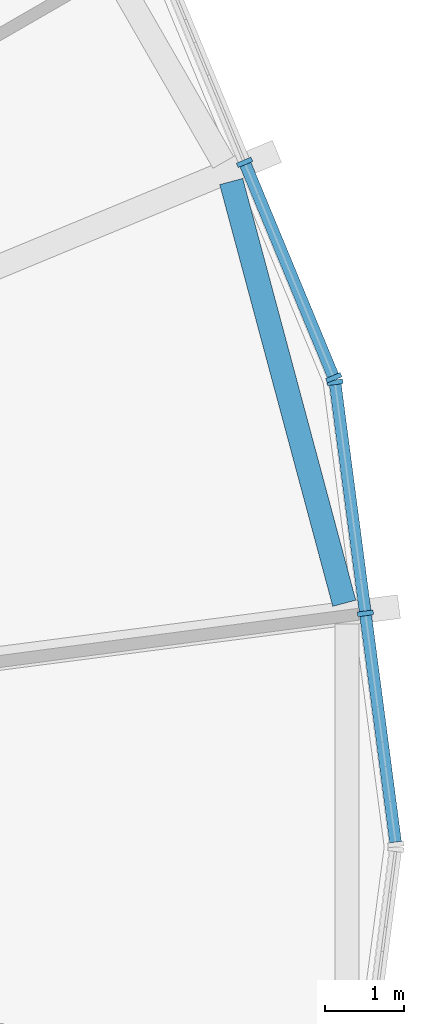
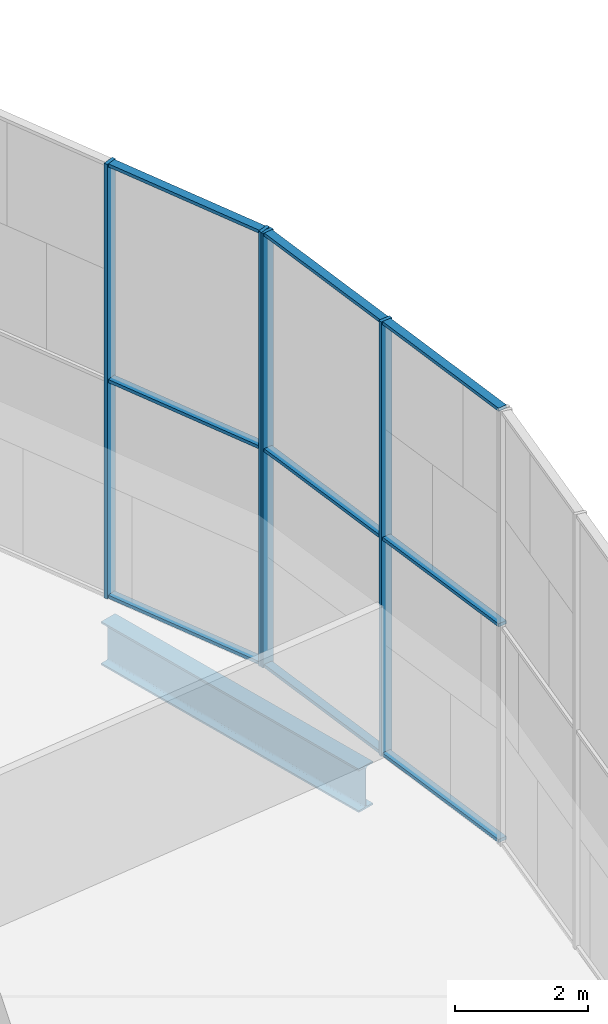
# One storey, part 5 of 19: 13 members, 1 beam, 2 elements without a shape of their own.
"""IFC4 building model written with IfcOpenShell, lengths in metres."""

from ifc_helpers import new_model, si_unit, direction, frame, origin, origin_2d, place, context, subcontext, project, spatial, rectangle, i_section, extrude, material, material_profile, profile_set, type_object, element, aggregate, save


model = new_model("IFC4")

# Units and contexts
model_context = context("Model", 3, precision=1e-05, world=origin(), true_north=direction((0.0, 1.0)))
body_context = subcontext(model_context, "Body", "Model", "MODEL_VIEW")
ifc_project = project(units=[si_unit("LENGTHUNIT", "METRE"), si_unit("AREAUNIT", "SQUARE_METRE"), si_unit("VOLUMEUNIT", "CUBIC_METRE"), si_unit("PLANEANGLEUNIT", "RADIAN"), si_unit("MASSUNIT", "GRAM", prefix="KILO")], contexts=[model_context])

# Site, building, storey
site_placement = place(None, origin())
site = spatial("IfcSite", under=ifc_project, at=site_placement, CompositionType="ELEMENT")
building_placement = place(site_placement, origin())
building = spatial("IfcBuilding", under=site, at=building_placement, Name="Golbaran Civic Tower", CompositionType="ELEMENT")
storey_placement = place(building_placement, frame((0.0, 0.0, 240.0)))
storey = spatial("IfcBuildingStorey", under=building, at=storey_placement, Name="L58", CompositionType="ELEMENT", Elevation=240.0)

# Beam
ifc_material_1 = material(Name="Steel S355", Category="steel")
ifc_material_profile_1 = material_profile(ifc_material_1, i_section(OverallWidth=0.300048828125, OverallDepth=0.800048828125, WebThickness=0.017578125, FlangeThickness=0.032958984375, FilletRadius=0.030029296875, at=origin_2d()), Name="HEB 800")
ifc_profile_set_1 = profile_set([ifc_material_profile_1], Name="Steel S355")
beam_type = type_object("IfcBeamType", Name="EDGE BEAM HEB 800", PredefinedType="BEAM", material=ifc_profile_set_1)
beam_placement = place(storey_placement, frame((22.04736328125, 3.064453125, -0.60009765625), z_axis=(-0.258893020744, 0.96590600154, 0.0), x_axis=(-0.96590600154, -0.258893020744, 0.0)))
element("IfcBeam", 1, at=beam_placement, inside=storey, type_object=beam_type, Name="Edge beam 7.57 L58", PredefinedType="BEAM", context=body_context, shape_type="SweptSolid", body=[
    extrude(i_section(OverallWidth=0.300048828125, OverallDepth=0.800048828125, WebThickness=0.017578125, FlangeThickness=0.032958984375, FilletRadius=0.030029296875, at=origin_2d()), origin(), (0.0, 0.0, 1.0), 5.494873046875),
])

# Curtain wall, members
ifc_material_2 = material(Name="Aluminium and glass", Category="aluminium")
curtain_wall_type = type_object("IfcCurtainWallType", Name="INNER SKIN CURTAIN WALL EXECUTIVE", PredefinedType="NOTDEFINED", material=ifc_material_2)
curtain_wall_1_placement = place(storey_placement, origin())
curtain_wall_1 = element("IfcCurtainWall", 2, at=curtain_wall_1_placement, inside=storey, type_object=curtain_wall_type, Name="Inner skin L58 facet 1 CW2", ObjectType="INNER SKIN", PredefinedType="USERDEFINED")
ifc_material_3 = material(Name="Aluminium", Category="aluminium")
ifc_material_profile_2 = material_profile(ifc_material_3, rectangle(XDim=0.199951171875, YDim=0.06005859375, at=origin_2d()), Name="INNER SKIN CURTAIN WALL EXECUTIVE MULLION")
ifc_profile_set_2 = profile_set([ifc_material_profile_2], Name="Aluminium")
member_type_1 = type_object("IfcMemberType", Name="INNER SKIN CURTAIN WALL EXECUTIVE MULLION", PredefinedType="MULLION", material=ifc_profile_set_2)
member_1_placement = place(storey_placement, frame((22.313232421875, 2.9375, 0.0), z_axis=(0.0, 0.0, 1.0), x_axis=(-0.991444861381, -0.130526192168, 0.0)))
member_1 = element("IfcMember", 3, at=member_1_placement, type_object=member_type_1, Name="CW2 mullion 2", PredefinedType="MULLION", context=body_context, shape_type="SweptSolid", body=[
    extrude(rectangle(XDim=0.199951171875, YDim=0.06005859375, at=origin_2d()), origin(), (0.0, 0.0, 1.0), 8.0),
])
member_2_placement = place(storey_placement, frame((21.930419921875, 5.845458984375, 0.0), z_axis=(0.0, 0.0, 1.0), x_axis=(-0.991444861381, -0.130526192168, 0.0)))
member_2 = element("IfcMember", 4, at=member_2_placement, type_object=member_type_1, Name="CW2 mullion 3", PredefinedType="MULLION", context=body_context, shape_type="SweptSolid", body=[
    extrude(rectangle(XDim=0.199951171875, YDim=0.06005859375, at=origin_2d()), origin(), (0.0, 0.0, 1.0), 8.0),
])

curtain_wall_2_placement = place(storey_placement, origin())
curtain_wall_2 = element("IfcCurtainWall", 5, at=curtain_wall_2_placement, inside=storey, type_object=curtain_wall_type, Name="Inner skin L58 facet 2 CW2", ObjectType="INNER SKIN", PredefinedType="USERDEFINED")
member_3_placement = place(storey_placement, frame((21.9150390625, 5.90283203125, 0.0), z_axis=(0.0, 0.0, 1.0), x_axis=(-0.923879532498, -0.382683432397, 0.0)))
member_3 = element("IfcMember", 6, at=member_3_placement, type_object=member_type_1, Name="CW2 mullion 1", PredefinedType="MULLION", context=body_context, shape_type="SweptSolid", body=[
    extrude(rectangle(XDim=0.199951171875, YDim=0.06005859375, at=origin_2d()), origin(), (0.0, 0.0, 1.0), 8.0),
])
member_4_placement = place(storey_placement, frame((20.792724609375, 8.612548828125, 0.0), z_axis=(0.0, 0.0, 1.0), x_axis=(-0.923879532498, -0.382683432397, 0.0)))
member_4 = element("IfcMember", 7, at=member_4_placement, type_object=member_type_1, Name="CW2 mullion 2", PredefinedType="MULLION", context=body_context, shape_type="SweptSolid", body=[
    extrude(rectangle(XDim=0.199951171875, YDim=0.06005859375, at=origin_2d()), origin(), (0.0, 0.0, 1.0), 8.0),
])

# Member
ifc_material_profile_3 = material_profile(ifc_material_3, rectangle(XDim=0.14990234375, YDim=0.06005859375, at=origin_2d()), Name="INNER SKIN CURTAIN WALL EXECUTIVE TRANSOM")
ifc_profile_set_3 = profile_set([ifc_material_profile_3], Name="Aluminium")
member_type_2 = type_object("IfcMemberType", Name="INNER SKIN CURTAIN WALL EXECUTIVE TRANSOM", PredefinedType="USERDEFINED", material=ifc_profile_set_3)
member_5_placement = place(storey_placement, frame((22.692138671875, 0.0595703125, 0.030029296875), z_axis=(-0.130527053476, 0.991444747987, 0.0), x_axis=(-0.991444747987, -0.130527053476, 0.0)))
member_5 = element("IfcMember", 8, at=member_5_placement, type_object=member_type_2, Name="CW2 transom 1.1", ObjectType="TRANSOM", PredefinedType="USERDEFINED", context=body_context, shape_type="SweptSolid", body=[
    extrude(rectangle(XDim=0.14990234375, YDim=0.06005859375, at=origin_2d()), origin(), (0.0, 0.0, 1.0), 2.873046875),
])

member_6_placement = place(storey_placement, frame((22.692138671875, 0.0595703125, 4.0), z_axis=(-0.130527053476, 0.991444747987, 0.0), x_axis=(-0.991444747987, -0.130527053476, 0.0)))
member_6 = element("IfcMember", 9, at=member_6_placement, type_object=member_type_2, Name="CW2 transom 1.2", ObjectType="TRANSOM", PredefinedType="USERDEFINED", context=body_context, shape_type="SweptSolid", body=[
    extrude(rectangle(XDim=0.14990234375, YDim=0.06005859375, at=origin_2d()), origin(), (0.0, 0.0, 1.0), 2.873046875),
])

member_7_placement = place(storey_placement, frame((22.692138671875, 0.0595703125, 7.969970703125), z_axis=(-0.130527053476, 0.991444747987, 0.0), x_axis=(-0.991444747987, -0.130527053476, 0.0)))
member_7 = element("IfcMember", 10, at=member_7_placement, type_object=member_type_2, Name="CW2 transom 1.3", ObjectType="TRANSOM", PredefinedType="USERDEFINED", context=body_context, shape_type="SweptSolid", body=[
    extrude(rectangle(XDim=0.14990234375, YDim=0.06005859375, at=origin_2d()), origin(), (0.0, 0.0, 1.0), 2.873046875),
])

member_8_placement = place(storey_placement, frame((22.309326171875, 2.96728515625, 0.030029296875), z_axis=(-0.130527053476, 0.991444747987, 0.0), x_axis=(-0.991444747987, -0.130527053476, 0.0)))
member_8 = element("IfcMember", 11, at=member_8_placement, type_object=member_type_2, Name="CW2 transom 2.1", ObjectType="TRANSOM", PredefinedType="USERDEFINED", context=body_context, shape_type="SweptSolid", body=[
    extrude(rectangle(XDim=0.14990234375, YDim=0.06005859375, at=origin_2d()), origin(), (0.0, 0.0, 1.0), 2.873046875),
])

member_9_placement = place(storey_placement, frame((22.309326171875, 2.96728515625, 4.0), z_axis=(-0.130527053476, 0.991444747987, 0.0), x_axis=(-0.991444747987, -0.130527053476, 0.0)))
member_9 = element("IfcMember", 12, at=member_9_placement, type_object=member_type_2, Name="CW2 transom 2.2", ObjectType="TRANSOM", PredefinedType="USERDEFINED", context=body_context, shape_type="SweptSolid", body=[
    extrude(rectangle(XDim=0.14990234375, YDim=0.06005859375, at=origin_2d()), origin(), (0.0, 0.0, 1.0), 2.873046875),
])

member_10_placement = place(storey_placement, frame((22.309326171875, 2.96728515625, 7.969970703125), z_axis=(-0.130527053476, 0.991444747987, 0.0), x_axis=(-0.991444747987, -0.130527053476, 0.0)))
member_10 = element("IfcMember", 13, at=member_10_placement, type_object=member_type_2, Name="CW2 transom 2.3", ObjectType="TRANSOM", PredefinedType="USERDEFINED", context=body_context, shape_type="SweptSolid", body=[
    extrude(rectangle(XDim=0.14990234375, YDim=0.06005859375, at=origin_2d()), origin(), (0.0, 0.0, 1.0), 2.873046875),
])

aggregate(curtain_wall_1, [member_1, member_2, member_5, member_6, member_7, member_8, member_9, member_10])

member_11_placement = place(storey_placement, frame((21.903564453125, 5.9306640625, 0.030029296875), z_axis=(-0.382659506909, 0.923889442397, 0.0), x_axis=(-0.923889442397, -0.382659506909, 0.0)))
member_11 = element("IfcMember", 14, at=member_11_placement, type_object=member_type_2, Name="CW2 transom 1.1", ObjectType="TRANSOM", PredefinedType="USERDEFINED", context=body_context, shape_type="SweptSolid", body=[
    extrude(rectangle(XDim=0.14990234375, YDim=0.06005859375, at=origin_2d()), origin(), (0.0, 0.0, 1.0), 2.873046875),
])

member_12_placement = place(storey_placement, frame((21.903564453125, 5.9306640625, 4.0), z_axis=(-0.382659506909, 0.923889442397, 0.0), x_axis=(-0.923889442397, -0.382659506909, 0.0)))
member_12 = element("IfcMember", 15, at=member_12_placement, type_object=member_type_2, Name="CW2 transom 1.2", ObjectType="TRANSOM", PredefinedType="USERDEFINED", context=body_context, shape_type="SweptSolid", body=[
    extrude(rectangle(XDim=0.14990234375, YDim=0.06005859375, at=origin_2d()), origin(), (0.0, 0.0, 1.0), 2.873046875),
])

member_13_placement = place(storey_placement, frame((21.903564453125, 5.9306640625, 7.969970703125), z_axis=(-0.382659506909, 0.923889442397, 0.0), x_axis=(-0.923889442397, -0.382659506909, 0.0)))
member_13 = element("IfcMember", 16, at=member_13_placement, type_object=member_type_2, Name="CW2 transom 1.3", ObjectType="TRANSOM", PredefinedType="USERDEFINED", context=body_context, shape_type="SweptSolid", body=[
    extrude(rectangle(XDim=0.14990234375, YDim=0.06005859375, at=origin_2d()), origin(), (0.0, 0.0, 1.0), 2.873046875),
])

aggregate(curtain_wall_2, [member_3, member_4, member_11, member_12, member_13])

save(model, "model.ifc")
